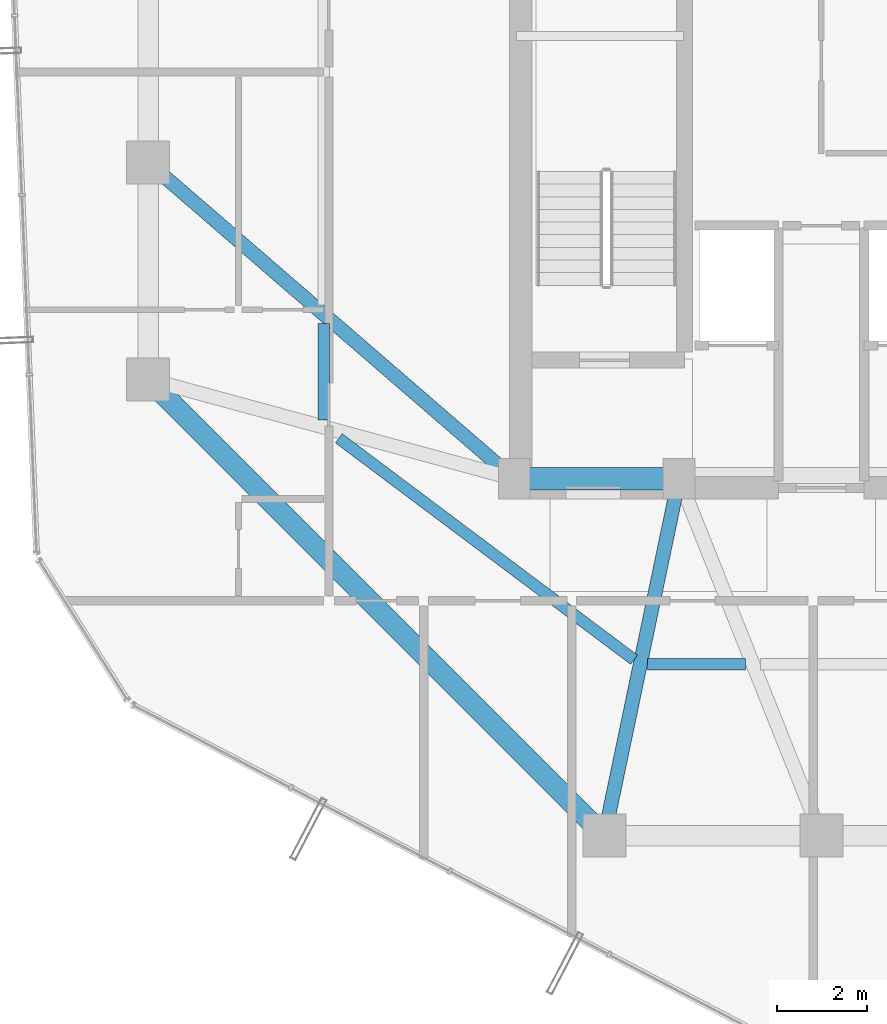
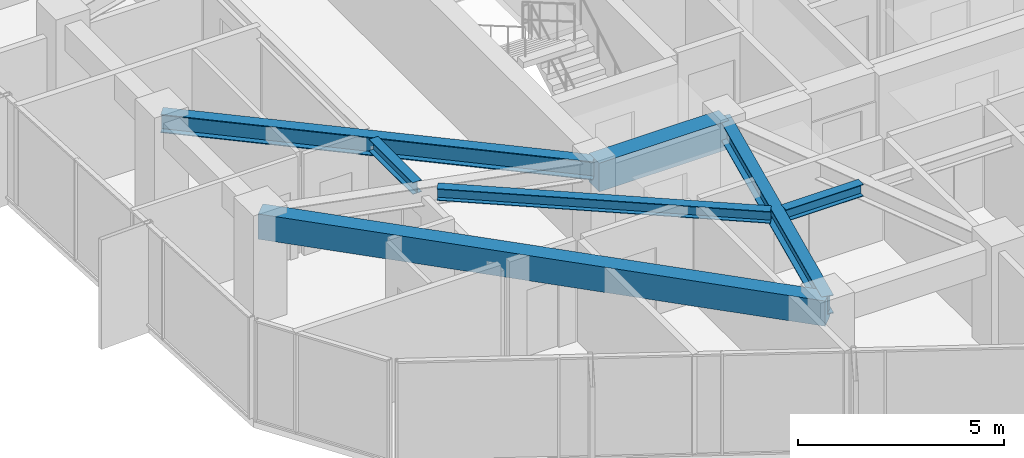
# One storey, part 6 of 33: 7 beams.
"""IFC4 building model written with IfcOpenShell, lengths in metres."""

from ifc_helpers import new_model, si_unit, direction, frame, origin, origin_2d, place, context, subcontext, project, spatial, rectangle, i_section, extrude, material, material_profile, profile_set, type_object, element, save


model = new_model("IFC4")

# Units and contexts
model_context = context("Model", 3, precision=1e-05, world=origin(), true_north=direction((0.0, 1.0)))
body_context = subcontext(model_context, "Body", "Model", "MODEL_VIEW")
ifc_project = project(units=[si_unit("LENGTHUNIT", "METRE"), si_unit("AREAUNIT", "SQUARE_METRE"), si_unit("VOLUMEUNIT", "CUBIC_METRE"), si_unit("PLANEANGLEUNIT", "RADIAN"), si_unit("MASSUNIT", "GRAM", prefix="KILO")], contexts=[model_context])

# Site, building, storey
site_placement = place(None, origin())
site = spatial("IfcSite", under=ifc_project, at=site_placement, CompositionType="ELEMENT")
building_placement = place(site_placement, origin())
building = spatial("IfcBuilding", under=site, at=building_placement, Name="Veraguas Prism Commons", CompositionType="ELEMENT")
storey_placement = place(building_placement, frame((0.0, 0.0, 198.35009765625)))
storey = spatial("IfcBuildingStorey", under=building, at=storey_placement, Name="L56", CompositionType="ELEMENT", Elevation=198.35009765625)

# Beams
ifc_material_1 = material(Name="Concrete C50/60", Category="concrete")
ifc_material_profile_1 = material_profile(ifc_material_1, rectangle(XDim=0.5, YDim=0.85009765625, at=origin_2d()), Name="RC500X850")
ifc_profile_set_1 = profile_set([ifc_material_profile_1], Name="Concrete C50/60")
beam_type_1 = type_object("IfcBeamType", Name="Core Coupling Beam RC 500x850", PredefinedType="BEAM", material=ifc_profile_set_1)
beam_1_placement = place(storey_placement, frame((17.199951171875, 17.0, 2.58984375), z_axis=(1.0, 0.0, 0.0), x_axis=(0.0, 1.0, 0.0)))
element("IfcBeam", 1, at=beam_1_placement, inside=storey, type_object=beam_type_1, Name="Core Coupling Beam L56-CRS1", PredefinedType="BEAM", context=body_context, shape_type="SweptSolid", body=[
    extrude(rectangle(XDim=0.5, YDim=0.85009765625, at=origin_2d()), origin(), (0.0, 0.0, 1.0), 3.650146484375),
])
ifc_material_profile_2 = material_profile(ifc_material_1, rectangle(XDim=0.449951171875, YDim=0.75, at=origin_2d()), Name="RC450X750")
ifc_profile_set_2 = profile_set([ifc_material_profile_2], Name="Concrete C50/60")
beam_type_2 = type_object("IfcBeamType", Name="Perimeter Spandrel Upper RC 450x750", PredefinedType="SPANDREL", material=ifc_profile_set_2)
beam_2_placement = place(storey_placement, frame((9.10009765625, 19.199951171875, 2.639892578125), z_axis=(0.707106781187, -0.707106781187, 0.0), x_axis=(0.707106781187, 0.707106781187, 0.0)))
element("IfcBeam", 2, at=beam_2_placement, inside=storey, type_object=beam_type_2, Name="Perimeter Spandrel Beam L56-SP09", PredefinedType="SPANDREL", context=body_context, shape_type="SweptSolid", body=[
    extrude(rectangle(XDim=0.449951171875, YDim=0.75, at=origin_2d()), origin(), (0.0, 0.0, 1.0), 14.283447265625),
])
ifc_material_2 = material(Name="Steel ASTM A992 Grade 50", Category="steel")
ifc_material_profile_3 = material_profile(ifc_material_2, i_section(OverallWidth=0.25390625, OverallDepth=0.35302734375, WebThickness=0.009521484375, FlangeThickness=0.016357421875, at=origin_2d()), Name="W360X91")
ifc_profile_set_3 = profile_set([ifc_material_profile_3], Name="Steel ASTM A992 Grade 50")
beam_type_3 = type_object("IfcBeamType", Name="Upper Floor Joist W360x91", PredefinedType="JOIST", material=ifc_profile_set_3)
beam_3_placement = place(storey_placement, frame((12.988037109375, 20.43701171875, 2.83837890625), z_axis=(0.0, -1.0, 0.0), x_axis=(1.0, 0.0, 0.0)))
element("IfcBeam", 3, at=beam_3_placement, inside=storey, type_object=beam_type_3, Name="Composite Floor Joist L56-JS08", PredefinedType="JOIST", context=body_context, shape_type="SweptSolid", body=[
    extrude(i_section(OverallWidth=0.25390625, OverallDepth=0.35302734375, WebThickness=0.009521484375, FlangeThickness=0.016357421875, at=origin_2d()), origin(), (0.0, 0.0, 1.0), 2.134033203125),
])
beam_4_placement = place(storey_placement, frame((13.320556640625, 17.89453125, 2.83837890625), z_axis=(0.800060962004, -0.599918708724, 0.0), x_axis=(0.599918708724, 0.800060962004, 0.0)))
element("IfcBeam", 4, at=beam_4_placement, inside=storey, type_object=beam_type_3, Name="Composite Floor Joist L56-JS09", PredefinedType="JOIST", context=body_context, shape_type="SweptSolid", body=[
    extrude(i_section(OverallWidth=0.25390625, OverallDepth=0.35302734375, WebThickness=0.009521484375, FlangeThickness=0.016357421875, at=origin_2d()), origin(), (0.0, 0.0, 1.0), 8.169189453125),
])
beam_5_placement = place(storey_placement, frame((20.148681640625, 12.89208984375, 2.83837890625), z_axis=(1.0, 0.0, 0.0), x_axis=(0.0, 1.0, 0.0)))
element("IfcBeam", 5, at=beam_5_placement, inside=storey, type_object=beam_type_3, Name="Composite Floor Joist L56-JS10", PredefinedType="JOIST", context=body_context, shape_type="SweptSolid", body=[
    extrude(i_section(OverallWidth=0.25390625, OverallDepth=0.35302734375, WebThickness=0.009521484375, FlangeThickness=0.016357421875, at=origin_2d()), origin(), (0.0, 0.0, 1.0), 2.174072265625),
])
ifc_material_profile_4 = material_profile(ifc_material_2, i_section(OverallWidth=0.31103515625, OverallDepth=0.5458984375, WebThickness=0.0146484375, FlangeThickness=0.023681640625, at=origin_2d()), Name="W530X165")
ifc_profile_set_4 = profile_set([ifc_material_profile_4], Name="Steel ASTM A992 Grade 50")
beam_type_4 = type_object("IfcBeamType", Name="Zone 3 Radial Girder W530x165", PredefinedType="BEAM", material=ifc_profile_set_4)
beam_6_placement = place(storey_placement, frame((9.10009765625, 24.0, 2.741943359375), z_axis=(0.756607086554, -0.653869800936, 0.0), x_axis=(0.653869800936, 0.756607086554, 0.0)))
element("IfcBeam", 6, at=beam_6_placement, inside=storey, type_object=beam_type_4, Name="Radial Floor Girder L56-RD08", PredefinedType="BEAM", context=body_context, shape_type="SweptSolid", body=[
    extrude(i_section(OverallWidth=0.31103515625, OverallDepth=0.5458984375, WebThickness=0.0146484375, FlangeThickness=0.023681640625, at=origin_2d()), origin(), (0.0, 0.0, 1.0), 10.70556640625),
])
beam_7_placement = place(storey_placement, frame((19.199951171875, 9.10009765625, 2.741943359375), z_axis=(0.204468851168, 0.978873070884, 0.0), x_axis=(-0.978873070884, 0.204468851168, 0.0)))
element("IfcBeam", 7, at=beam_7_placement, inside=storey, type_object=beam_type_4, Name="Radial Floor Girder L56-RD10", PredefinedType="BEAM", context=body_context, shape_type="SweptSolid", body=[
    extrude(i_section(OverallWidth=0.31103515625, OverallDepth=0.5458984375, WebThickness=0.0146484375, FlangeThickness=0.023681640625, at=origin_2d()), origin(), (0.0, 0.0, 1.0), 8.0703125),
])

save(model, "model.ifc")
